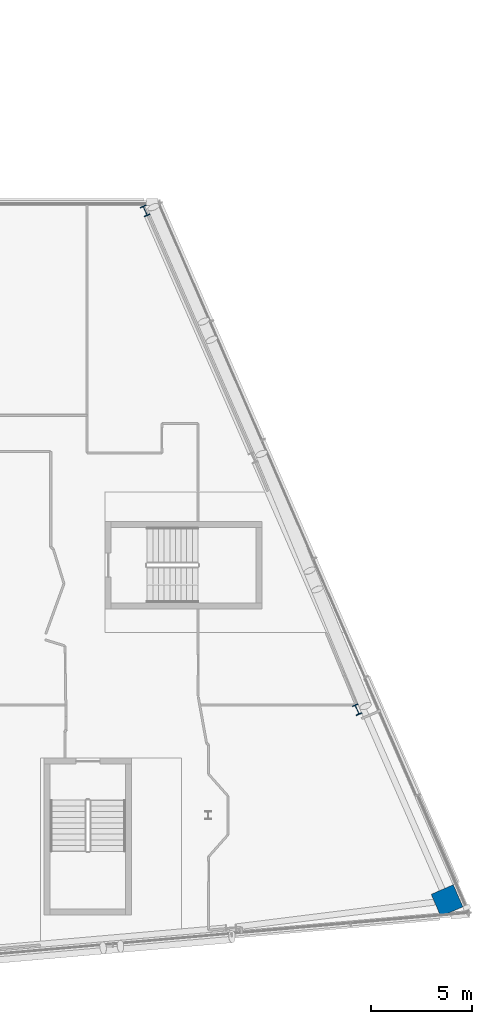
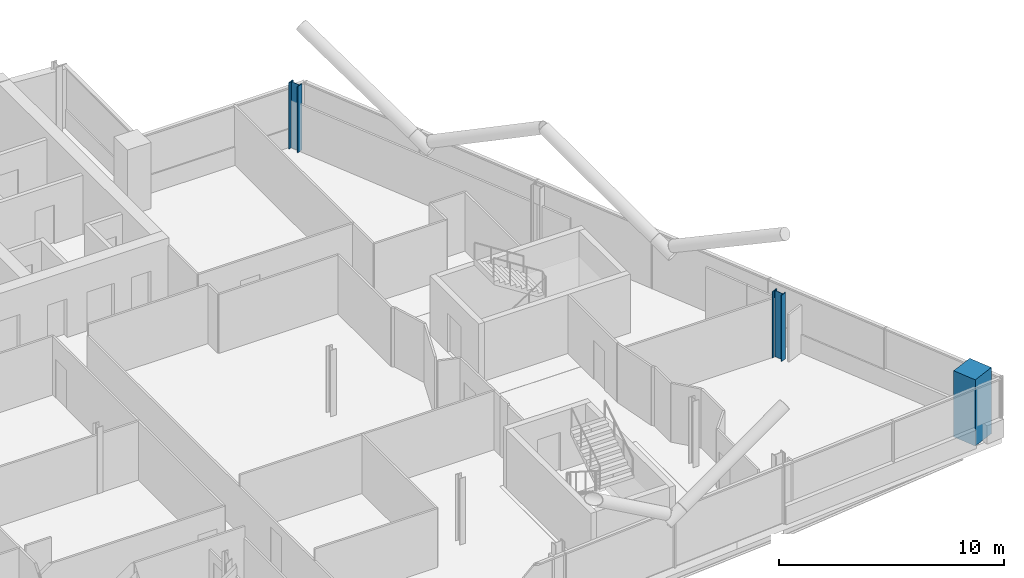
# One storey, part 4 of 28: 3 columns.
"""IFC4 building model written with IfcOpenShell, lengths in metres."""

from ifc_helpers import new_model, si_unit, direction, frame, origin, origin_2d, place, context, subcontext, project, spatial, rectangle, i_section, extrude, material, material_profile, profile_set, type_object, element, save


model = new_model("IFC4")

# Units and contexts
model_context = context("Model", 3, precision=1e-05, world=origin(), true_north=direction((0.0, 1.0)))
body_context = subcontext(model_context, "Body", "Model", "MODEL_VIEW")
ifc_project = project(units=[si_unit("LENGTHUNIT", "METRE"), si_unit("AREAUNIT", "SQUARE_METRE"), si_unit("VOLUMEUNIT", "CUBIC_METRE"), si_unit("PLANEANGLEUNIT", "RADIAN"), si_unit("MASSUNIT", "GRAM", prefix="KILO")], contexts=[model_context])

# Site, building, storey
site_placement = place(None, origin())
site = spatial("IfcSite", under=ifc_project, at=site_placement, CompositionType="ELEMENT")
building_placement = place(site_placement, origin())
building = spatial("IfcBuilding", under=site, at=building_placement, Name="Wharfspan Tower", CompositionType="ELEMENT")
storey_placement = place(building_placement, frame((0.0, 0.0, 253.899902)))
storey = spatial("IfcBuildingStorey", under=building, at=storey_placement, Name="L64", CompositionType="ELEMENT", Elevation=253.899902)

# Columns
ifc_material_1 = material(Name="Steel S355J2", Category="steel")
ifc_material_profile_1 = material_profile(ifc_material_1, i_section(OverallWidth=0.305908, OverallDepth=0.523926, WebThickness=0.020996, FlangeThickness=0.040039, FilletRadius=0.0271, at=origin_2d()))
ifc_profile_set_1 = profile_set([ifc_material_profile_1], Name="Steel S355J2")
column_type_1 = type_object("IfcColumnType", Name="Column HEM 500", PredefinedType="COLUMN", material=ifc_profile_set_1)
for number, where, z_axis, x_axis, name in (
    (1, (79.409668, 16.761719, 0.0), (0.0, 0.0, 1.0), (0.917072, 0.398727, 0.0), "Perimeter column PE.1 L64"),
    (2, (68.867188, 41.572266, 0.0), (0.0, 0.0, 1.0), (0.917072, 0.398727, 0.0), "Perimeter column PE.3 L64"),
):
    element("IfcColumn", number, at=place(storey_placement, frame(where, z_axis=z_axis, x_axis=x_axis)), inside=storey, type_object=column_type_1, Name=name, PredefinedType="COLUMN", context=body_context, shape_type="SweptSolid", body=[
        extrude(i_section(OverallWidth=0.305908, OverallDepth=0.523926, WebThickness=0.020996, FlangeThickness=0.040039, FilletRadius=0.0271, at=origin_2d()), origin(), (0.0, 0.0, 1.0), 3.600098),
    ])
ifc_material_2 = material(Name="Concrete C50/60", Category="concrete")
ifc_material_profile_2 = material_profile(ifc_material_2, rectangle(XDim=1.199951, YDim=1.199951, at=origin_2d()))
ifc_profile_set_2 = profile_set([ifc_material_profile_2], Name="Concrete C50/60")
column_type_2 = type_object("IfcColumnType", Name="Mega column 1200 C50/60", PredefinedType="COLUMN", material=ifc_profile_set_2)
column_placement = place(storey_placement, frame((83.882812, 7.264648, 0.0), z_axis=(0.0, 0.0, 1.0), x_axis=(-0.398727, 0.917072, 0.0)))
element("IfcColumn", 3, at=column_placement, inside=storey, type_object=column_type_2, Name="Mega column MC4 L64", PredefinedType="COLUMN", context=body_context, shape_type="SweptSolid", body=[
    extrude(rectangle(XDim=1.199951, YDim=1.199951, at=origin_2d()), origin(), (0.0, 0.0, 1.0), 3.600098),
])

save(model, "model.ifc")
